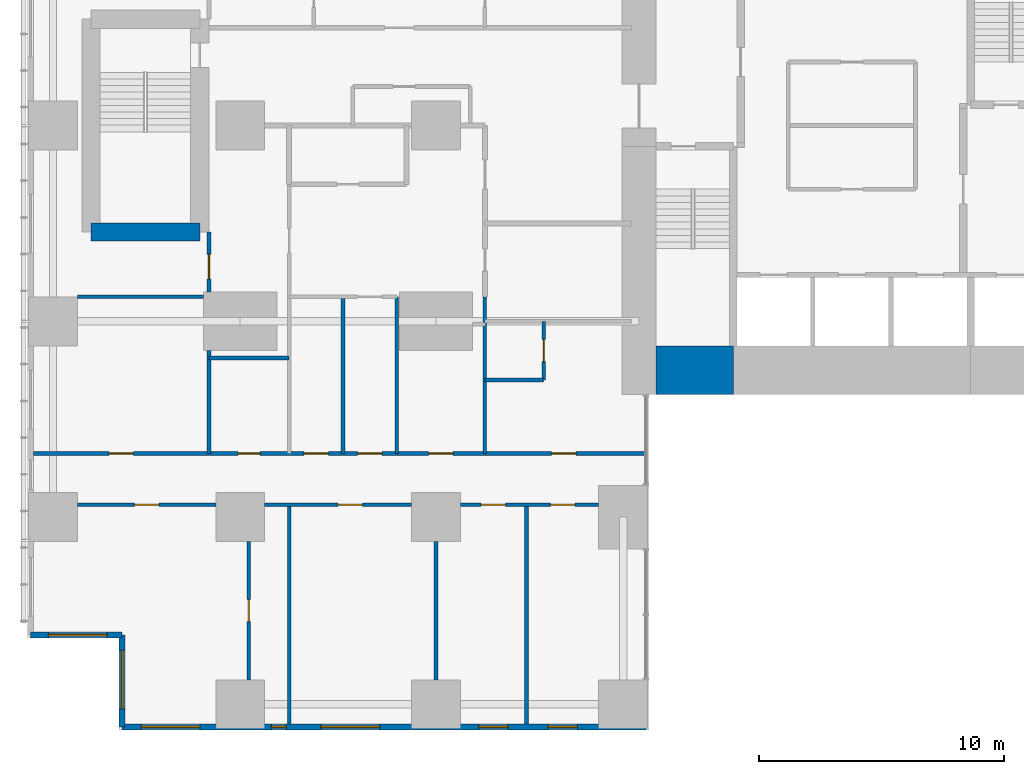
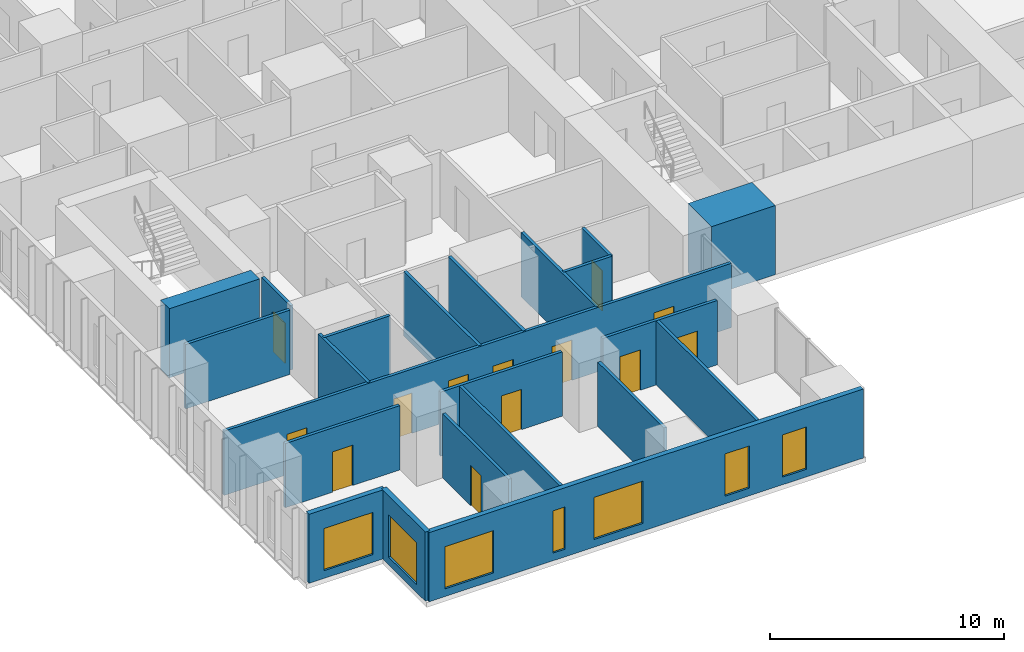
# One storey, part 12 of 21: 22 walls, 13 doors, 7 windows, 20 openings.
"""IFC4 building model written with IfcOpenShell, lengths in metres."""

from ifc_helpers import new_model, si_unit, direction, frame, frame_2d, origin, place, context, subcontext, project, spatial, rectangle, extrude, material, layer, layer_set, type_object, element, fill, save


model = new_model("IFC4")

# Units and contexts
model_context = context("Model", 3, precision=1e-05, world=origin(), true_north=direction((0.0, 1.0)))
body_context = subcontext(model_context, "Body", "Model", "MODEL_VIEW")
ifc_project = project(units=[si_unit("LENGTHUNIT", "METRE"), si_unit("AREAUNIT", "SQUARE_METRE"), si_unit("VOLUMEUNIT", "CUBIC_METRE"), si_unit("PLANEANGLEUNIT", "RADIAN"), si_unit("MASSUNIT", "GRAM", prefix="KILO")], contexts=[model_context])

# Site, building, storey
site_placement = place(None, origin())
site = spatial("IfcSite", under=ifc_project, at=site_placement, CompositionType="ELEMENT")
building_placement = place(site_placement, origin())
building = spatial("IfcBuilding", under=site, at=building_placement, Name="Cleftline Residences", CompositionType="ELEMENT")
storey_placement = place(building_placement, frame((0.0, 0.0, 128.60009765625)))
storey = spatial("IfcBuildingStorey", under=building, at=storey_placement, Name="L33", CompositionType="ELEMENT", Elevation=128.60009765625)

# Wall
ifc_material_1 = material(Name="Concrete B70", Category="concrete")
ifc_layer_1 = layer(ifc_material_1, 2.0)
ifc_layer_set_1 = layer_set([ifc_layer_1], Name="CORE WALL 2000")
wall_type_1 = type_object("IfcWallType", Name="CORE WALL 2000", PredefinedType="SHEAR", material=ifc_layer_set_1)
wall_1_placement = place(storey_placement, frame((25.0, 14.0, 0.0), z_axis=(0.0, 0.0, 1.0), x_axis=(1.0, 0.0, 0.0)))
element("IfcWall", 1, at=wall_1_placement, inside=storey, type_object=wall_type_1, Name="Core wall S1", PredefinedType="SHEAR", context=body_context, shape_type="SweptSolid", body=[
    extrude(rectangle(XDim=3.14990234375, YDim=2.0, at=frame_2d((1.574951171875, 0.0))), origin(), (0.0, 0.0, 1.0), 3.599853515625),
])

# Wall, opening, window
ifc_material_2 = material(Name="Rendered reinforced concrete blockwork", Category="masonry")
ifc_layer_2 = layer(ifc_material_2, 0.25)
ifc_layer_set_2 = layer_set([ifc_layer_2], Name="EXTERNAL WALL 250")
wall_type_2 = type_object("IfcWallType", Name="EXTERNAL WALL 250", PredefinedType="SOLIDWALL", material=ifc_layer_set_2)
wall_2_placement = place(storey_placement, frame((-0.574951171875, 3.175048828125, 0.0), z_axis=(0.0, 0.0, 1.0), x_axis=(1.0, 0.0, 0.0)))
wall_2 = element("IfcWall", 2, at=wall_2_placement, inside=storey, type_object=wall_type_2, Name="External wall", PredefinedType="SOLIDWALL", context=body_context, shape_type="SweptSolid", body=[
    extrude(rectangle(XDim=3.75, YDim=0.25, at=frame_2d((1.875, 0.0))), origin(), (0.0, 0.0, 1.0), 3.599853515625),
])
opening_1_placement = place(wall_2_placement, frame((0.737548828125, 0.0, 0.39990234375)))
opening_1 = element("IfcOpeningElement", 3, at=opening_1_placement, cuts=wall_2, Name="Opening W12", PredefinedType="OPENING", context=body_context, shape_type="SweptSolid", body=[
    extrude(rectangle(XDim=2.39990234375, YDim=2.199951171875, at=frame_2d((1.199951171875, 1.10009765625))), frame((0.0, 0.135009765625, 0.0), z_axis=(0.0, -1.0, 0.0), x_axis=(1.0, 0.0, 0.0)), (0.0, 0.0, 1.0), 0.27001953125),
])
ifc_material_3 = material(Name="Aluminium frame, clear double glazing", Category="aluminium")
window_type_1 = type_object("IfcWindowType", Name="WINDOW 2400X2200", PartitioningType="DOUBLE_PANEL_VERTICAL", PredefinedType="WINDOW", material=ifc_material_3)
window_1_placement = place(opening_1_placement, origin())
window_1 = element("IfcWindow", 4, at=window_1_placement, inside=storey, type_object=window_type_1, Name="Window", OverallHeight=2.199951171875, OverallWidth=2.39990234375, PartitioningType="SINGLE_PANEL", PredefinedType="WINDOW", context=body_context, shape_type="SweptSolid", body=[
    extrude(rectangle(XDim=2.39990234375, YDim=2.199951171875, at=frame_2d((1.199951171875, 1.10009765625))), frame((0.0, 0.030029296875, 0.0), z_axis=(0.0, -1.0, 0.0), x_axis=(1.0, 0.0, 0.0)), (0.0, 0.0, 1.0), 0.06005859375),
])
fill(opening_1, window_1)

wall_3_placement = place(storey_placement, frame((3.175048828125, 3.175048828125, 0.0), z_axis=(0.0, 0.0, 1.0), x_axis=(0.0, -1.0, 0.0)))
wall_3 = element("IfcWall", 5, at=wall_3_placement, inside=storey, type_object=wall_type_2, Name="External wall", PredefinedType="SOLIDWALL", context=body_context, shape_type="SweptSolid", body=[
    extrude(rectangle(XDim=3.75, YDim=0.25, at=frame_2d((1.875, 0.0))), origin(), (0.0, 0.0, 1.0), 3.599853515625),
])
opening_2_placement = place(wall_3_placement, frame((0.612548828125, 0.0, 0.39990234375)))
opening_2 = element("IfcOpeningElement", 6, at=opening_2_placement, cuts=wall_3, Name="Opening W12", PredefinedType="OPENING", context=body_context, shape_type="SweptSolid", body=[
    extrude(rectangle(XDim=2.39990234375, YDim=2.199951171875, at=frame_2d((1.199951171875, 1.10009765625))), frame((0.0, 0.135009765625, 0.0), z_axis=(0.0, -1.0, 0.0), x_axis=(1.0, 0.0, 0.0)), (0.0, 0.0, 1.0), 0.27001953125),
])
window_2_placement = place(opening_2_placement, origin())
window_2 = element("IfcWindow", 7, at=window_2_placement, inside=storey, type_object=window_type_1, Name="Window", OverallHeight=2.199951171875, OverallWidth=2.39990234375, PartitioningType="SINGLE_PANEL", PredefinedType="WINDOW", context=body_context, shape_type="SweptSolid", body=[
    extrude(rectangle(XDim=2.39990234375, YDim=2.199951171875, at=frame_2d((1.199951171875, 1.10009765625))), frame((0.0, 0.030029296875, 0.0), z_axis=(0.0, -1.0, 0.0), x_axis=(1.0, 0.0, 0.0)), (0.0, 0.0, 1.0), 0.06005859375),
])
fill(opening_2, window_2)

# Wall, openings, windows
wall_4_placement = place(storey_placement, frame((3.175048828125, -0.574951171875, 0.0), z_axis=(0.0, 0.0, 1.0), x_axis=(1.0, 0.0, 0.0)))
wall_4 = element("IfcWall", 8, at=wall_4_placement, inside=storey, type_object=wall_type_2, Name="External wall", PredefinedType="SOLIDWALL", context=body_context, shape_type="SweptSolid", body=[
    extrude(rectangle(XDim=21.39990234375, YDim=0.25, at=frame_2d((10.699951171875, 0.0))), origin(), (0.0, 0.0, 1.0), 3.599853515625),
])
opening_3_placement = place(wall_4_placement, frame((0.77490234375, 0.0, 0.39990234375)))
opening_3 = element("IfcOpeningElement", 9, at=opening_3_placement, cuts=wall_4, Name="Opening W12", PredefinedType="OPENING", context=body_context, shape_type="SweptSolid", body=[
    extrude(rectangle(XDim=2.39990234375, YDim=2.199951171875, at=frame_2d((1.199951171875, 1.10009765625))), frame((0.0, 0.135009765625, 0.0), z_axis=(0.0, -1.0, 0.0), x_axis=(1.0, 0.0, 0.0)), (0.0, 0.0, 1.0), 0.27001953125),
])
opening_4_placement = place(wall_4_placement, frame((6.10009765625, 0.0, 0.39990234375)))
opening_4 = element("IfcOpeningElement", 10, at=opening_4_placement, cuts=wall_4, Name="Opening W10", PredefinedType="OPENING", context=body_context, shape_type="SweptSolid", body=[
    extrude(rectangle(XDim=0.60009765625, YDim=2.199951171875, at=frame_2d((0.300048828125, 1.10009765625))), frame((0.0, 0.135009765625, 0.0), z_axis=(0.0, -1.0, 0.0), x_axis=(1.0, 0.0, 0.0)), (0.0, 0.0, 1.0), 0.27001953125),
])
opening_5_placement = place(wall_4_placement, frame((8.125, 0.0, 0.39990234375)))
opening_5 = element("IfcOpeningElement", 11, at=opening_5_placement, cuts=wall_4, Name="Opening W12", PredefinedType="OPENING", context=body_context, shape_type="SweptSolid", body=[
    extrude(rectangle(XDim=2.39990234375, YDim=2.199951171875, at=frame_2d((1.199951171875, 1.10009765625))), frame((0.0, 0.135009765625, 0.0), z_axis=(0.0, -1.0, 0.0), x_axis=(1.0, 0.0, 0.0)), (0.0, 0.0, 1.0), 0.27001953125),
])
opening_6_placement = place(wall_4_placement, frame((14.574951171875, 0.0, 0.39990234375)))
opening_6 = element("IfcOpeningElement", 12, at=opening_6_placement, cuts=wall_4, Name="Opening W11", PredefinedType="OPENING", context=body_context, shape_type="SweptSolid", body=[
    extrude(rectangle(XDim=1.199951171875, YDim=2.199951171875, at=frame_2d((0.60009765625, 1.10009765625))), frame((0.0, 0.135009765625, 0.0), z_axis=(0.0, -1.0, 0.0), x_axis=(1.0, 0.0, 0.0)), (0.0, 0.0, 1.0), 0.27001953125),
])
opening_7_placement = place(wall_4_placement, frame((17.39990234375, 0.0, 0.39990234375)))
opening_7 = element("IfcOpeningElement", 13, at=opening_7_placement, cuts=wall_4, Name="Opening W11", PredefinedType="OPENING", context=body_context, shape_type="SweptSolid", body=[
    extrude(rectangle(XDim=1.199951171875, YDim=2.199951171875, at=frame_2d((0.60009765625, 1.10009765625))), frame((0.0, 0.135009765625, 0.0), z_axis=(0.0, -1.0, 0.0), x_axis=(1.0, 0.0, 0.0)), (0.0, 0.0, 1.0), 0.27001953125),
])
ifc_material_4 = material(Name="Aluminium frame, clear double glazing", Category="aluminium")
window_type_2 = type_object("IfcWindowType", Name="WINDOW 1200X2200", PartitioningType="DOUBLE_PANEL_VERTICAL", PredefinedType="WINDOW", material=ifc_material_4)
window_3_placement = place(opening_6_placement, origin())
window_3 = element("IfcWindow", 14, at=window_3_placement, inside=storey, type_object=window_type_2, Name="Window", OverallHeight=2.199951171875, OverallWidth=1.199951171875, PartitioningType="SINGLE_PANEL", PredefinedType="WINDOW", context=body_context, shape_type="SweptSolid", body=[
    extrude(rectangle(XDim=1.199951171875, YDim=2.199951171875, at=frame_2d((0.60009765625, 1.10009765625))), frame((0.0, 0.030029296875, 0.0), z_axis=(0.0, -1.0, 0.0), x_axis=(1.0, 0.0, 0.0)), (0.0, 0.0, 1.0), 0.06005859375),
])
fill(opening_6, window_3)
window_4_placement = place(opening_7_placement, origin())
window_4 = element("IfcWindow", 15, at=window_4_placement, inside=storey, type_object=window_type_2, Name="Window", OverallHeight=2.199951171875, OverallWidth=1.199951171875, PartitioningType="SINGLE_PANEL", PredefinedType="WINDOW", context=body_context, shape_type="SweptSolid", body=[
    extrude(rectangle(XDim=1.199951171875, YDim=2.199951171875, at=frame_2d((0.60009765625, 1.10009765625))), frame((0.0, 0.030029296875, 0.0), z_axis=(0.0, -1.0, 0.0), x_axis=(1.0, 0.0, 0.0)), (0.0, 0.0, 1.0), 0.06005859375),
])
fill(opening_7, window_4)
window_5_placement = place(opening_3_placement, origin())
window_5 = element("IfcWindow", 16, at=window_5_placement, inside=storey, type_object=window_type_1, Name="Window", OverallHeight=2.199951171875, OverallWidth=2.39990234375, PartitioningType="SINGLE_PANEL", PredefinedType="WINDOW", context=body_context, shape_type="SweptSolid", body=[
    extrude(rectangle(XDim=2.39990234375, YDim=2.199951171875, at=frame_2d((1.199951171875, 1.10009765625))), frame((0.0, 0.030029296875, 0.0), z_axis=(0.0, -1.0, 0.0), x_axis=(1.0, 0.0, 0.0)), (0.0, 0.0, 1.0), 0.06005859375),
])
fill(opening_3, window_5)
window_6_placement = place(opening_5_placement, origin())
window_6 = element("IfcWindow", 17, at=window_6_placement, inside=storey, type_object=window_type_1, Name="Window", OverallHeight=2.199951171875, OverallWidth=2.39990234375, PartitioningType="SINGLE_PANEL", PredefinedType="WINDOW", context=body_context, shape_type="SweptSolid", body=[
    extrude(rectangle(XDim=2.39990234375, YDim=2.199951171875, at=frame_2d((1.199951171875, 1.10009765625))), frame((0.0, 0.030029296875, 0.0), z_axis=(0.0, -1.0, 0.0), x_axis=(1.0, 0.0, 0.0)), (0.0, 0.0, 1.0), 0.06005859375),
])
fill(opening_5, window_6)
ifc_material_5 = material(Name="Aluminium frame, clear double glazing", Category="aluminium")
window_type_3 = type_object("IfcWindowType", Name="WINDOW 600X2200", PartitioningType="DOUBLE_PANEL_VERTICAL", PredefinedType="WINDOW", material=ifc_material_5)
window_7_placement = place(opening_4_placement, origin())
window_7 = element("IfcWindow", 18, at=window_7_placement, inside=storey, type_object=window_type_3, Name="Window", OverallHeight=2.199951171875, OverallWidth=0.60009765625, PartitioningType="SINGLE_PANEL", PredefinedType="WINDOW", context=body_context, shape_type="SweptSolid", body=[
    extrude(rectangle(XDim=0.60009765625, YDim=2.199951171875, at=frame_2d((0.300048828125, 1.10009765625))), frame((0.0, 0.030029296875, 0.0), z_axis=(0.0, -1.0, 0.0), x_axis=(1.0, 0.0, 0.0)), (0.0, 0.0, 1.0), 0.06005859375),
])
fill(opening_4, window_7)

# Wall, opening, door
ifc_material_6 = material(Name="Gypsum board on steel studs", Category="steel")
ifc_layer_3 = layer(ifc_material_6, 0.14990234375)
ifc_layer_set_3 = layer_set([ifc_layer_3], Name="PARTITION 150")
wall_type_3 = type_object("IfcWallType", Name="PARTITION 150", PredefinedType="PARTITIONING", material=ifc_layer_set_3)
wall_5_placement = place(storey_placement, frame((1.35009765625, 8.5, 0.0), z_axis=(0.0, 0.0, 1.0), x_axis=(1.0, 0.0, 0.0)))
wall_5 = element("IfcWall", 19, at=wall_5_placement, inside=storey, type_object=wall_type_3, Name="Partition", PredefinedType="PARTITIONING", context=body_context, shape_type="SweptSolid", body=[
    extrude(rectangle(XDim=5.64990234375, YDim=0.14990234375, at=frame_2d((2.824951171875, 0.0))), origin(), (0.0, 0.0, 1.0), 3.349853515625),
])
opening_8_placement = place(wall_5_placement, frame((2.324951171875, 0.0, 0.0)))
opening_8 = element("IfcOpeningElement", 20, at=opening_8_placement, cuts=wall_5, Name="Opening D2", PredefinedType="OPENING", context=body_context, shape_type="SweptSolid", body=[
    extrude(rectangle(XDim=1.0, YDim=2.10009765625, at=frame_2d((0.5, 1.050048828125))), frame((0.0, 0.0849609375, 0.0), z_axis=(0.0, -1.0, 0.0), x_axis=(1.0, 0.0, 0.0)), (0.0, 0.0, 1.0), 0.169921875),
])
ifc_material_7 = material(Name="Timber veneer on solid core", Category="wood")
door_type_1 = type_object("IfcDoorType", Name="DOOR 1000X2100", OperationType="SINGLE_SWING_LEFT", PredefinedType="DOOR", material=ifc_material_7)
door_1_placement = place(opening_8_placement, origin())
door_1 = element("IfcDoor", 21, at=door_1_placement, inside=storey, type_object=door_type_1, Name="Door to formal living room", OperationType="SINGLE_SWING_LEFT", OverallHeight=2.10009765625, OverallWidth=1.0, PredefinedType="DOOR", context=body_context, shape_type="SweptSolid", body=[
    extrude(rectangle(XDim=1.0, YDim=2.10009765625, at=frame_2d((0.5, 1.050048828125))), frame((0.0, 0.02490234375, 0.0), z_axis=(0.0, -1.0, 0.0), x_axis=(1.0, 0.0, 0.0)), (0.0, 0.0, 1.0), 0.050048828125),
])
fill(opening_8, door_1)

wall_6_placement = place(storey_placement, frame((9.0, 8.5, 0.0), z_axis=(0.0, 0.0, 1.0), x_axis=(1.0, 0.0, 0.0)))
wall_6 = element("IfcWall", 22, at=wall_6_placement, inside=storey, type_object=wall_type_3, Name="Partition", PredefinedType="PARTITIONING", context=body_context, shape_type="SweptSolid", body=[
    extrude(rectangle(XDim=6.0, YDim=0.14990234375, at=frame_2d((3.0, 0.0))), origin(), (0.0, 0.0, 1.0), 3.349853515625),
])
opening_9_placement = place(wall_6_placement, frame((3.0, 0.0, 0.0)))
opening_9 = element("IfcOpeningElement", 23, at=opening_9_placement, cuts=wall_6, Name="Opening D2", PredefinedType="OPENING", context=body_context, shape_type="SweptSolid", body=[
    extrude(rectangle(XDim=1.0, YDim=2.10009765625, at=frame_2d((0.5, 1.050048828125))), frame((0.0, 0.0849609375, 0.0), z_axis=(0.0, -1.0, 0.0), x_axis=(1.0, 0.0, 0.0)), (0.0, 0.0, 1.0), 0.169921875),
])
door_2_placement = place(opening_9_placement, origin())
door_2 = element("IfcDoor", 24, at=door_2_placement, inside=storey, type_object=door_type_1, Name="Door to formal dining room", OperationType="SINGLE_SWING_LEFT", OverallHeight=2.10009765625, OverallWidth=1.0, PredefinedType="DOOR", context=body_context, shape_type="SweptSolid", body=[
    extrude(rectangle(XDim=1.0, YDim=2.10009765625, at=frame_2d((0.5, 1.050048828125))), frame((0.0, 0.02490234375, 0.0), z_axis=(0.0, -1.0, 0.0), x_axis=(1.0, 0.0, 0.0)), (0.0, 0.0, 1.0), 0.050048828125),
])
fill(opening_9, door_2)

# Wall, openings, doors
wall_7_placement = place(storey_placement, frame((17.0, 8.5, 0.0), z_axis=(0.0, 0.0, 1.0), x_axis=(1.0, 0.0, 0.0)))
wall_7 = element("IfcWall", 25, at=wall_7_placement, inside=storey, type_object=wall_type_3, Name="Partition", PredefinedType="PARTITIONING", context=body_context, shape_type="SweptSolid", body=[
    extrude(rectangle(XDim=5.64990234375, YDim=0.14990234375, at=frame_2d((2.824951171875, 0.0))), origin(), (0.0, 0.0, 1.0), 3.349853515625),
])
opening_10_placement = place(wall_7_placement, frame((0.85009765625, 0.0, 0.0)))
opening_10 = element("IfcOpeningElement", 26, at=opening_10_placement, cuts=wall_7, Name="Opening D2", PredefinedType="OPENING", context=body_context, shape_type="SweptSolid", body=[
    extrude(rectangle(XDim=1.0, YDim=2.10009765625, at=frame_2d((0.5, 1.050048828125))), frame((0.0, 0.0849609375, 0.0), z_axis=(0.0, -1.0, 0.0), x_axis=(1.0, 0.0, 0.0)), (0.0, 0.0, 1.0), 0.169921875),
])
opening_11_placement = place(wall_7_placement, frame((3.675048828125, 0.0, 0.0)))
opening_11 = element("IfcOpeningElement", 27, at=opening_11_placement, cuts=wall_7, Name="Opening D2", PredefinedType="OPENING", context=body_context, shape_type="SweptSolid", body=[
    extrude(rectangle(XDim=1.0, YDim=2.10009765625, at=frame_2d((0.5, 1.050048828125))), frame((0.0, 0.0849609375, 0.0), z_axis=(0.0, -1.0, 0.0), x_axis=(1.0, 0.0, 0.0)), (0.0, 0.0, 1.0), 0.169921875),
])
door_3_placement = place(opening_10_placement, origin())
door_3 = element("IfcDoor", 28, at=door_3_placement, inside=storey, type_object=door_type_1, Name="Door to breakfast room", OperationType="SINGLE_SWING_RIGHT", OverallHeight=2.10009765625, OverallWidth=1.0, PredefinedType="DOOR", context=body_context, shape_type="SweptSolid", body=[
    extrude(rectangle(XDim=1.0, YDim=2.10009765625, at=frame_2d((0.5, 1.050048828125))), frame((0.0, 0.02490234375, 0.0), z_axis=(0.0, -1.0, 0.0), x_axis=(1.0, 0.0, 0.0)), (0.0, 0.0, 1.0), 0.050048828125),
])
fill(opening_10, door_3)
door_4_placement = place(opening_11_placement, origin())
door_4 = element("IfcDoor", 29, at=door_4_placement, inside=storey, type_object=door_type_1, Name="Door to show kitchen", OperationType="SINGLE_SWING_LEFT", OverallHeight=2.10009765625, OverallWidth=1.0, PredefinedType="DOOR", context=body_context, shape_type="SweptSolid", body=[
    extrude(rectangle(XDim=1.0, YDim=2.10009765625, at=frame_2d((0.5, 1.050048828125))), frame((0.0, 0.02490234375, 0.0), z_axis=(0.0, -1.0, 0.0), x_axis=(1.0, 0.0, 0.0)), (0.0, 0.0, 1.0), 0.050048828125),
])
fill(opening_11, door_4)

wall_8_placement = place(storey_placement, frame((-0.449951171875, 10.60009765625, 0.0), z_axis=(0.0, 0.0, 1.0), x_axis=(1.0, 0.0, 0.0)))
wall_8 = element("IfcWall", 30, at=wall_8_placement, inside=storey, type_object=wall_type_3, Name="Partition", PredefinedType="PARTITIONING", context=body_context, shape_type="SweptSolid", body=[
    extrude(rectangle(XDim=25.010986328125, YDim=0.14990234375, at=frame_2d((12.50537109375, 0.0))), origin(), (0.0, 0.0, 1.0), 3.349853515625),
])
opening_12_placement = place(wall_8_placement, frame((13.25, 0.0, 0.0)))
opening_12 = element("IfcOpeningElement", 31, at=opening_12_placement, cuts=wall_8, Name="Opening D2F30", PredefinedType="OPENING", context=body_context, shape_type="SweptSolid", body=[
    extrude(rectangle(XDim=1.0, YDim=2.10009765625, at=frame_2d((0.5, 1.050048828125))), frame((0.0, 0.0849609375, 0.0), z_axis=(0.0, -1.0, 0.0), x_axis=(1.0, 0.0, 0.0)), (0.0, 0.0, 1.0), 0.169921875),
])
opening_13_placement = place(wall_8_placement, frame((3.08740234375, 0.0, 0.0)))
opening_13 = element("IfcOpeningElement", 32, at=opening_13_placement, cuts=wall_8, Name="Opening D2F30", PredefinedType="OPENING", context=body_context, shape_type="SweptSolid", body=[
    extrude(rectangle(XDim=1.0, YDim=2.10009765625, at=frame_2d((0.5, 1.050048828125))), frame((0.0, 0.0849609375, 0.0), z_axis=(0.0, -1.0, 0.0), x_axis=(1.0, 0.0, 0.0)), (0.0, 0.0, 1.0), 0.169921875),
])
opening_14_placement = place(wall_8_placement, frame((8.362548828125, 0.0, 0.0)))
opening_14 = element("IfcOpeningElement", 33, at=opening_14_placement, cuts=wall_8, Name="Opening D1F30", PredefinedType="OPENING", context=body_context, shape_type="SweptSolid", body=[
    extrude(rectangle(XDim=0.89990234375, YDim=2.10009765625, at=frame_2d((0.449951171875, 1.050048828125))), frame((0.0, 0.0849609375, 0.0), z_axis=(0.0, -1.0, 0.0), x_axis=(1.0, 0.0, 0.0)), (0.0, 0.0, 1.0), 0.169921875),
])
opening_15_placement = place(wall_8_placement, frame((11.050048828125, 0.0, 0.0)))
opening_15 = element("IfcOpeningElement", 34, at=opening_15_placement, cuts=wall_8, Name="Opening D2F30", PredefinedType="OPENING", context=body_context, shape_type="SweptSolid", body=[
    extrude(rectangle(XDim=1.0, YDim=2.10009765625, at=frame_2d((0.5, 1.050048828125))), frame((0.0, 0.0849609375, 0.0), z_axis=(0.0, -1.0, 0.0), x_axis=(1.0, 0.0, 0.0)), (0.0, 0.0, 1.0), 0.169921875),
])
opening_16_placement = place(wall_8_placement, frame((16.14990234375, 0.0, 0.0)))
opening_16 = element("IfcOpeningElement", 35, at=opening_16_placement, cuts=wall_8, Name="Opening D2F30", PredefinedType="OPENING", context=body_context, shape_type="SweptSolid", body=[
    extrude(rectangle(XDim=1.0, YDim=2.10009765625, at=frame_2d((0.5, 1.050048828125))), frame((0.0, 0.0849609375, 0.0), z_axis=(0.0, -1.0, 0.0), x_axis=(1.0, 0.0, 0.0)), (0.0, 0.0, 1.0), 0.169921875),
])
opening_17_placement = place(wall_8_placement, frame((21.175048828125, 0.0, 0.0)))
opening_17 = element("IfcOpeningElement", 36, at=opening_17_placement, cuts=wall_8, Name="Opening D2F30", PredefinedType="OPENING", context=body_context, shape_type="SweptSolid", body=[
    extrude(rectangle(XDim=1.0, YDim=2.10009765625, at=frame_2d((0.5, 1.050048828125))), frame((0.0, 0.0849609375, 0.0), z_axis=(0.0, -1.0, 0.0), x_axis=(1.0, 0.0, 0.0)), (0.0, 0.0, 1.0), 0.169921875),
])
ifc_material_8 = material(Name="Timber veneer on solid core", Category="wood")
door_type_2 = type_object("IfcDoorType", Name="DOOR 1000X2100 EI 30", OperationType="SINGLE_SWING_LEFT", PredefinedType="DOOR", material=ifc_material_8)
door_5_placement = place(opening_12_placement, origin())
door_5 = element("IfcDoor", 37, at=door_5_placement, inside=storey, type_object=door_type_2, Name="Door to residence hall (gallery)", OperationType="SINGLE_SWING_LEFT", OverallHeight=2.10009765625, OverallWidth=1.0, PredefinedType="DOOR", context=body_context, shape_type="SweptSolid", body=[
    extrude(rectangle(XDim=1.0, YDim=2.10009765625, at=frame_2d((0.5, 1.050048828125))), frame((0.0, 0.02490234375, 0.0), z_axis=(0.0, -1.0, 0.0), x_axis=(1.0, 0.0, 0.0)), (0.0, 0.0, 1.0), 0.050048828125),
])
fill(opening_12, door_5)
door_6_placement = place(opening_13_placement, origin())
door_6 = element("IfcDoor", 38, at=door_6_placement, inside=storey, type_object=door_type_2, Name="Door to winter garden", OperationType="SINGLE_SWING_RIGHT", OverallHeight=2.10009765625, OverallWidth=1.0, PredefinedType="DOOR", context=body_context, shape_type="SweptSolid", body=[
    extrude(rectangle(XDim=1.0, YDim=2.10009765625, at=frame_2d((0.5, 1.050048828125))), frame((0.0, 0.02490234375, 0.0), z_axis=(0.0, -1.0, 0.0), x_axis=(1.0, 0.0, 0.0)), (0.0, 0.0, 1.0), 0.050048828125),
])
fill(opening_13, door_6)
door_7_placement = place(opening_15_placement, origin())
door_7 = element("IfcDoor", 39, at=door_7_placement, inside=storey, type_object=door_type_2, Name="Door to family room", OperationType="SINGLE_SWING_RIGHT", OverallHeight=2.10009765625, OverallWidth=1.0, PredefinedType="DOOR", context=body_context, shape_type="SweptSolid", body=[
    extrude(rectangle(XDim=1.0, YDim=2.10009765625, at=frame_2d((0.5, 1.050048828125))), frame((0.0, 0.02490234375, 0.0), z_axis=(0.0, -1.0, 0.0), x_axis=(1.0, 0.0, 0.0)), (0.0, 0.0, 1.0), 0.050048828125),
])
fill(opening_15, door_7)
door_8_placement = place(opening_16_placement, origin())
door_8 = element("IfcDoor", 40, at=door_8_placement, inside=storey, type_object=door_type_2, Name="Door to wet kitchen", OperationType="SINGLE_SWING_LEFT", OverallHeight=2.10009765625, OverallWidth=1.0, PredefinedType="DOOR", context=body_context, shape_type="SweptSolid", body=[
    extrude(rectangle(XDim=1.0, YDim=2.10009765625, at=frame_2d((0.5, 1.050048828125))), frame((0.0, 0.02490234375, 0.0), z_axis=(0.0, -1.0, 0.0), x_axis=(1.0, 0.0, 0.0)), (0.0, 0.0, 1.0), 0.050048828125),
])
fill(opening_16, door_8)
door_9_placement = place(opening_17_placement, origin())
door_9 = element("IfcDoor", 41, at=door_9_placement, inside=storey, type_object=door_type_2, Name="Door to staff bedroom", OperationType="SINGLE_SWING_LEFT", OverallHeight=2.10009765625, OverallWidth=1.0, PredefinedType="DOOR", context=body_context, shape_type="SweptSolid", body=[
    extrude(rectangle(XDim=1.0, YDim=2.10009765625, at=frame_2d((0.5, 1.050048828125))), frame((0.0, 0.02490234375, 0.0), z_axis=(0.0, -1.0, 0.0), x_axis=(1.0, 0.0, 0.0)), (0.0, 0.0, 1.0), 0.050048828125),
])
fill(opening_17, door_9)
ifc_material_9 = material(Name="Timber veneer on solid core", Category="wood")
door_type_3 = type_object("IfcDoorType", Name="DOOR 900X2100 EI 30", OperationType="SINGLE_SWING_LEFT", PredefinedType="DOOR", material=ifc_material_9)
door_10_placement = place(opening_14_placement, origin())
door_10 = element("IfcDoor", 42, at=door_10_placement, inside=storey, type_object=door_type_3, Name="Door to store room", OperationType="SINGLE_SWING_RIGHT", OverallHeight=2.10009765625, OverallWidth=0.89990234375, PredefinedType="DOOR", context=body_context, shape_type="SweptSolid", body=[
    extrude(rectangle(XDim=0.89990234375, YDim=2.10009765625, at=frame_2d((0.449951171875, 1.050048828125))), frame((0.0, 0.02490234375, 0.0), z_axis=(0.0, -1.0, 0.0), x_axis=(1.0, 0.0, 0.0)), (0.0, 0.0, 1.0), 0.050048828125),
])
fill(opening_14, door_10)

# Walls
wall_9_placement = place(storey_placement, frame((18.0, 13.60009765625, 0.0), z_axis=(0.0, 0.0, 1.0), x_axis=(1.0, 0.0, 0.0)))
element("IfcWall", 43, at=wall_9_placement, inside=storey, type_object=wall_type_3, Name="Partition", PredefinedType="PARTITIONING", context=body_context, shape_type="SweptSolid", body=[
    extrude(rectangle(XDim=2.39990234375, YDim=0.14990234375, at=frame_2d((1.199951171875, 0.0))), origin(), (0.0, 0.0, 1.0), 3.349853515625),
])
wall_10_placement = place(storey_placement, frame((6.72509765625, 14.5, 0.0), z_axis=(0.0, 0.0, 1.0), x_axis=(1.0, 0.0, 0.0)))
element("IfcWall", 44, at=wall_10_placement, inside=storey, type_object=wall_type_3, Name="Partition", PredefinedType="PARTITIONING", context=body_context, shape_type="SweptSolid", body=[
    extrude(rectangle(XDim=3.27490234375, YDim=0.14990234375, at=frame_2d((1.637451171875, 0.0))), origin(), (0.0, 0.0, 1.0), 3.349853515625),
])
wall_11_placement = place(storey_placement, frame((1.35009765625, 17.0, 0.0), z_axis=(0.0, 0.0, 1.0), x_axis=(1.0, 0.0, 0.0)))
element("IfcWall", 45, at=wall_11_placement, inside=storey, type_object=wall_type_3, Name="Partition", PredefinedType="PARTITIONING", context=body_context, shape_type="SweptSolid", body=[
    extrude(rectangle(XDim=5.14990234375, YDim=0.14990234375, at=frame_2d((2.574951171875, 0.0))), origin(), (0.0, 0.0, 1.0), 3.349853515625),
])
wall_12_placement = place(storey_placement, frame((6.72509765625, 10.60009765625, 0.0), z_axis=(0.0, 0.0, 1.0), x_axis=(0.0, 1.0, 0.0)))
element("IfcWall", 46, at=wall_12_placement, inside=storey, type_object=wall_type_3, Name="Partition", PredefinedType="PARTITIONING", context=body_context, shape_type="SweptSolid", body=[
    extrude(rectangle(XDim=4.199951171875, YDim=0.14990234375, at=frame_2d((2.10009765625, 0.0))), origin(), (0.0, 0.0, 1.0), 3.349853515625),
])

# Wall, opening, door
wall_13_placement = place(storey_placement, frame((6.72509765625, 17.199951171875, 0.0), z_axis=(0.0, 0.0, 1.0), x_axis=(0.0, 1.0, 0.0)))
wall_13 = element("IfcWall", 47, at=wall_13_placement, inside=storey, type_object=wall_type_3, Name="Partition", PredefinedType="PARTITIONING", context=body_context, shape_type="SweptSolid", body=[
    extrude(rectangle(XDim=2.449951171875, YDim=0.14990234375, at=frame_2d((1.22509765625, 0.0))), origin(), (0.0, 0.0, 1.0), 3.349853515625),
])
opening_18_placement = place(wall_13_placement, frame((0.53759765625, 0.0, 0.0)))
opening_18 = element("IfcOpeningElement", 48, at=opening_18_placement, cuts=wall_13, Name="Opening D2", PredefinedType="OPENING", context=body_context, shape_type="SweptSolid", body=[
    extrude(rectangle(XDim=1.0, YDim=2.10009765625, at=frame_2d((0.5, 1.050048828125))), frame((0.0, 0.0849609375, 0.0), z_axis=(0.0, -1.0, 0.0), x_axis=(1.0, 0.0, 0.0)), (0.0, 0.0, 1.0), 0.169921875),
])
door_11_placement = place(opening_18_placement, origin())
door_11 = element("IfcDoor", 49, at=door_11_placement, inside=storey, type_object=door_type_1, Name="Door to altar room", OperationType="SINGLE_SWING_RIGHT", OverallHeight=2.10009765625, OverallWidth=1.0, PredefinedType="DOOR", context=body_context, shape_type="SweptSolid", body=[
    extrude(rectangle(XDim=1.0, YDim=2.10009765625, at=frame_2d((0.5, 1.050048828125))), frame((0.0, 0.02490234375, 0.0), z_axis=(0.0, -1.0, 0.0), x_axis=(1.0, 0.0, 0.0)), (0.0, 0.0, 1.0), 0.050048828125),
])
fill(opening_18, door_11)

wall_14_placement = place(storey_placement, frame((8.35009765625, 1.35009765625, 0.0), z_axis=(0.0, 0.0, 1.0), x_axis=(0.0, 1.0, 0.0)))
wall_14 = element("IfcWall", 50, at=wall_14_placement, inside=storey, type_object=wall_type_3, Name="Partition", PredefinedType="PARTITIONING", context=body_context, shape_type="SweptSolid", body=[
    extrude(rectangle(XDim=5.64990234375, YDim=0.14990234375, at=frame_2d((2.824951171875, 0.0))), origin(), (0.0, 0.0, 1.0), 3.349853515625),
])
opening_19_placement = place(wall_14_placement, frame((2.375, 0.0, 0.0)))
opening_19 = element("IfcOpeningElement", 51, at=opening_19_placement, cuts=wall_14, Name="Opening D1", PredefinedType="OPENING", context=body_context, shape_type="SweptSolid", body=[
    extrude(rectangle(XDim=0.89990234375, YDim=2.10009765625, at=frame_2d((0.449951171875, 1.050048828125))), frame((0.0, 0.0849609375, 0.0), z_axis=(0.0, -1.0, 0.0), x_axis=(1.0, 0.0, 0.0)), (0.0, 0.0, 1.0), 0.169921875),
])
ifc_material_10 = material(Name="Timber veneer on solid core", Category="wood")
door_type_4 = type_object("IfcDoorType", Name="DOOR 900X2100", OperationType="SINGLE_SWING_LEFT", PredefinedType="DOOR", material=ifc_material_10)
door_12_placement = place(opening_19_placement, origin())
door_12 = element("IfcDoor", 52, at=door_12_placement, inside=storey, type_object=door_type_4, Name="Door to store room", OperationType="SINGLE_SWING_LEFT", OverallHeight=2.10009765625, OverallWidth=0.89990234375, PredefinedType="DOOR", context=body_context, shape_type="SweptSolid", body=[
    extrude(rectangle(XDim=0.89990234375, YDim=2.10009765625, at=frame_2d((0.449951171875, 1.050048828125))), frame((0.0, 0.02490234375, 0.0), z_axis=(0.0, -1.0, 0.0), x_axis=(1.0, 0.0, 0.0)), (0.0, 0.0, 1.0), 0.050048828125),
])
fill(opening_19, door_12)

# Walls
wall_15_placement = place(storey_placement, frame((10.0, -0.449951171875, 0.0), z_axis=(0.0, 0.0, 1.0), x_axis=(0.0, 1.0, 0.0)))
element("IfcWall", 53, at=wall_15_placement, inside=storey, type_object=wall_type_3, Name="Partition", PredefinedType="PARTITIONING", context=body_context, shape_type="SweptSolid", body=[
    extrude(rectangle(XDim=8.949951171875, YDim=0.14990234375, at=frame_2d((4.47509765625, 0.0))), origin(), (0.0, 0.0, 1.0), 3.349853515625),
])
for number, where, z_axis, x_axis, name in (
    (54, (12.199951171875, 10.60009765625, 0.0), (0.0, 0.0, 1.0), (0.0, 1.0, 0.0), "Partition"),
    (55, (14.39990234375, 10.60009765625, 0.0), (0.0, 0.0, 1.0), (0.0, 1.0, 0.0), "Partition"),
):
    element("IfcWall", number, at=place(storey_placement, frame(where, z_axis=z_axis, x_axis=x_axis)), inside=storey, type_object=wall_type_3, Name=name, PredefinedType="PARTITIONING", context=body_context, shape_type="SweptSolid", body=[
        extrude(rectangle(XDim=6.39990234375, YDim=0.14990234375, at=frame_2d((3.199951171875, 0.0))), origin(), (0.0, 0.0, 1.0), 3.349853515625),
    ])
wall_16_placement = place(storey_placement, frame((16.0, 1.35009765625, 0.0), z_axis=(0.0, 0.0, 1.0), x_axis=(0.0, 1.0, 0.0)))
element("IfcWall", 56, at=wall_16_placement, inside=storey, type_object=wall_type_3, Name="Partition", PredefinedType="PARTITIONING", context=body_context, shape_type="SweptSolid", body=[
    extrude(rectangle(XDim=5.64990234375, YDim=0.14990234375, at=frame_2d((2.824951171875, 0.0))), origin(), (0.0, 0.0, 1.0), 3.349853515625),
])
wall_17_placement = place(storey_placement, frame((18.0, 10.60009765625, 0.0), z_axis=(0.0, 0.0, 1.0), x_axis=(0.0, 1.0, 0.0)))
element("IfcWall", 57, at=wall_17_placement, inside=storey, type_object=wall_type_3, Name="Partition", PredefinedType="PARTITIONING", context=body_context, shape_type="SweptSolid", body=[
    extrude(rectangle(XDim=6.39990234375, YDim=0.14990234375, at=frame_2d((3.199951171875, 0.0))), origin(), (0.0, 0.0, 1.0), 3.349853515625),
])
wall_18_placement = place(storey_placement, frame((19.699951171875, -0.449951171875, 0.0), z_axis=(0.0, 0.0, 1.0), x_axis=(0.0, 1.0, 0.0)))
element("IfcWall", 58, at=wall_18_placement, inside=storey, type_object=wall_type_3, Name="Partition", PredefinedType="PARTITIONING", context=body_context, shape_type="SweptSolid", body=[
    extrude(rectangle(XDim=8.949951171875, YDim=0.14990234375, at=frame_2d((4.47509765625, 0.0))), origin(), (0.0, 0.0, 1.0), 3.349853515625),
])

# Wall, opening, door
wall_19_placement = place(storey_placement, frame((20.39990234375, 13.60009765625, 0.0), z_axis=(0.0, 0.0, 1.0), x_axis=(0.0, 1.0, 0.0)))
wall_19 = element("IfcWall", 59, at=wall_19_placement, inside=storey, type_object=wall_type_3, Name="Partition", PredefinedType="PARTITIONING", context=body_context, shape_type="SweptSolid", body=[
    extrude(rectangle(XDim=2.39990234375, YDim=0.14990234375, at=frame_2d((1.199951171875, 0.0))), origin(), (0.0, 0.0, 1.0), 3.349853515625),
])
opening_20_placement = place(wall_19_placement, frame((0.75, 0.0, 0.0)))
opening_20 = element("IfcOpeningElement", 60, at=opening_20_placement, cuts=wall_19, Name="Opening D1", PredefinedType="OPENING", context=body_context, shape_type="SweptSolid", body=[
    extrude(rectangle(XDim=0.89990234375, YDim=2.10009765625, at=frame_2d((0.449951171875, 1.050048828125))), frame((0.0, 0.0849609375, 0.0), z_axis=(0.0, -1.0, 0.0), x_axis=(1.0, 0.0, 0.0)), (0.0, 0.0, 1.0), 0.169921875),
])
door_13_placement = place(opening_20_placement, origin())
door_13 = element("IfcDoor", 61, at=door_13_placement, inside=storey, type_object=door_type_4, Name="Door to staff shower room", OperationType="SINGLE_SWING_LEFT", OverallHeight=2.10009765625, OverallWidth=0.89990234375, PredefinedType="DOOR", context=body_context, shape_type="SweptSolid", body=[
    extrude(rectangle(XDim=0.89990234375, YDim=2.10009765625, at=frame_2d((0.449951171875, 1.050048828125))), frame((0.0, 0.02490234375, 0.0), z_axis=(0.0, -1.0, 0.0), x_axis=(1.0, 0.0, 0.0)), (0.0, 0.0, 1.0), 0.050048828125),
])
fill(opening_20, door_13)

# Wall
ifc_material_11 = material(Name="Concrete B70", Category="concrete")
ifc_layer_4 = layer(ifc_material_11, 0.75)
ifc_layer_set_4 = layer_set([ifc_layer_4], Name="SHEAR WALL 750")
wall_type_4 = type_object("IfcWallType", Name="SHEAR WALL 750", PredefinedType="SHEAR", material=ifc_layer_set_4)
wall_20_placement = place(storey_placement, frame((1.89990234375, 19.64990234375, 0.0), z_axis=(0.0, 0.0, 1.0), x_axis=(1.0, 0.0, 0.0)))
element("IfcWall", 62, at=wall_20_placement, inside=storey, type_object=wall_type_4, Name="Wing shear wall", PredefinedType="SHEAR", context=body_context, shape_type="SweptSolid", body=[
    extrude(rectangle(XDim=4.4501953125, YDim=0.75, at=frame_2d((2.22509765625, 0.0))), origin(), (0.0, 0.0, 1.0), 3.599853515625),
])

save(model, "model.ifc")
